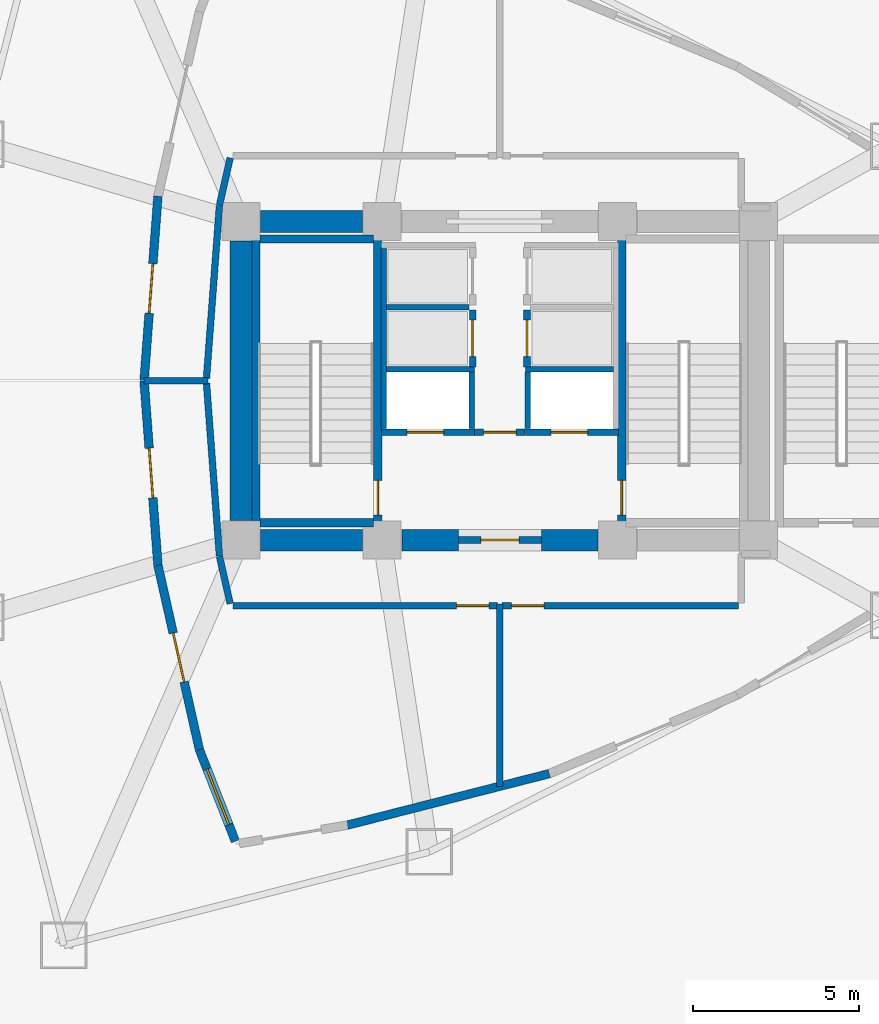
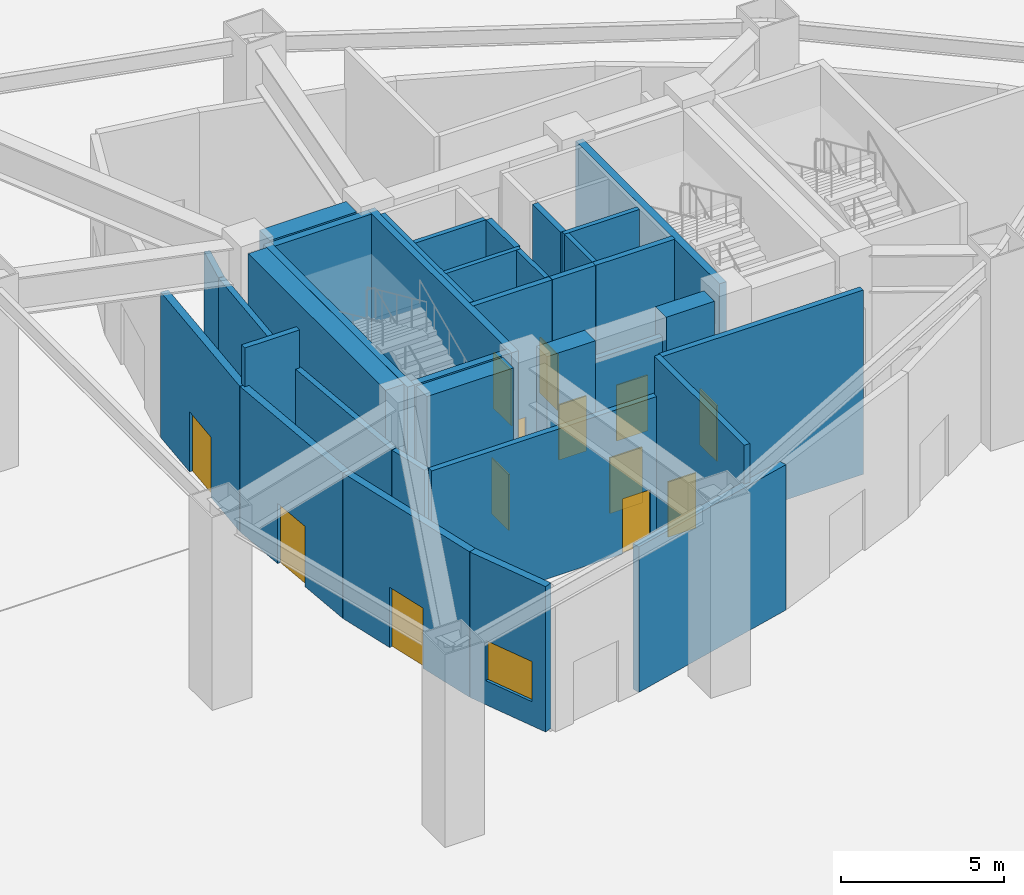
# One storey, part 2 of 7: 35 walls, 13 doors, 1 window, 14 openings.
"""IFC4 building model written with IfcOpenShell, lengths in metres."""

from ifc_helpers import new_model, si_unit, direction, frame, frame_2d, origin, place, context, subcontext, project, spatial, rectangle, extrude, material, layer, layer_set, type_object, element, fill, save


model = new_model("IFC4")

# Units and contexts
model_context = context("Model", 3, precision=1e-05, world=origin(), true_north=direction((0.0, 1.0)))
body_context = subcontext(model_context, "Body", "Model", "MODEL_VIEW")
ifc_project = project(units=[si_unit("LENGTHUNIT", "METRE"), si_unit("AREAUNIT", "SQUARE_METRE"), si_unit("VOLUMEUNIT", "CUBIC_METRE"), si_unit("PLANEANGLEUNIT", "RADIAN"), si_unit("MASSUNIT", "GRAM", prefix="KILO")], contexts=[model_context])

# Site, building, storey
site_placement = place(None, origin())
site = spatial("IfcSite", under=ifc_project, at=site_placement, CompositionType="ELEMENT")
building_placement = place(site_placement, origin())
building = spatial("IfcBuilding", under=site, at=building_placement, Name="Menara Vayukalpa", CompositionType="ELEMENT")
storey_placement = place(building_placement, origin())
storey = spatial("IfcBuildingStorey", under=building, at=storey_placement, Name="L00", CompositionType="ELEMENT", Elevation=0.0)

# Walls
ifc_material_1 = material(Name="Concrete C80/95", Category="concrete")
ifc_layer_1 = layer(ifc_material_1, 0.64990234375)
ifc_layer_set_1 = layer_set([ifc_layer_1], Name="Concrete C80/95")
wall_type_1 = type_object("IfcWallType", Name="WAL-CW650", PredefinedType="SHEAR", material=ifc_layer_set_1)
wall_1_placement = place(storey_placement, frame((18.39501953125, 17.199951171875, 0.0), z_axis=(0.0, 0.0, 1.0), x_axis=(1.0, 0.0, 0.0)))
element("IfcWall", 1, at=wall_1_placement, inside=storey, type_object=wall_type_1, Name="L00 Buttressed Core Shear Wall CWS1", PredefinedType="SHEAR", context=body_context, shape_type="SweptSolid", body=[
    extrude(rectangle(XDim=3.06005859375, YDim=0.64990234375, at=frame_2d((1.530029296875, 0.0))), origin(), (0.0, 0.0, 1.0), 6.8798828125),
])
wall_2_placement = place(storey_placement, frame((22.64501953125, 17.199951171875, 0.0), z_axis=(0.0, 0.0, 1.0), x_axis=(1.0, 0.0, 0.0)))
element("IfcWall", 2, at=wall_2_placement, inside=storey, type_object=wall_type_1, Name="L00 Buttressed Core Shear Wall CWS2", PredefinedType="SHEAR", context=body_context, shape_type="SweptSolid", body=[
    extrude(rectangle(XDim=1.705078125, YDim=0.64990234375, at=frame_2d((0.8525390625, 0.0))), origin(), (0.0, 0.0, 1.0), 6.8798828125),
])
wall_3_placement = place(storey_placement, frame((26.85009765625, 17.199951171875, 0.0), z_axis=(0.0, 0.0, 1.0), x_axis=(1.0, 0.0, 0.0)))
element("IfcWall", 3, at=wall_3_placement, inside=storey, type_object=wall_type_1, Name="L00 Buttressed Core Shear Wall CWS3", PredefinedType="SHEAR", context=body_context, shape_type="SweptSolid", body=[
    extrude(rectangle(XDim=1.704833984375, YDim=0.64990234375, at=frame_2d((0.8525390625, 0.0))), origin(), (0.0, 0.0, 1.0), 6.8798828125),
])
wall_4_placement = place(storey_placement, frame((18.39501953125, 26.800048828125, 0.0), z_axis=(0.0, 0.0, 1.0), x_axis=(1.0, 0.0, 0.0)))
element("IfcWall", 4, at=wall_4_placement, inside=storey, type_object=wall_type_1, Name="L00 Buttressed Core Shear Wall CWN1", PredefinedType="SHEAR", context=body_context, shape_type="SweptSolid", body=[
    extrude(rectangle(XDim=3.06005859375, YDim=0.64990234375, at=frame_2d((1.530029296875, 0.0))), origin(), (0.0, 0.0, 1.0), 6.8798828125),
])
wall_5_placement = place(storey_placement, frame((17.800048828125, 17.794921875, 0.0), z_axis=(0.0, 0.0, 1.0), x_axis=(0.0, 1.0, 0.0)))
element("IfcWall", 5, at=wall_5_placement, inside=storey, type_object=wall_type_1, Name="L00 Buttressed Core Shear Wall CWW1", PredefinedType="SHEAR", context=body_context, shape_type="SweptSolid", body=[
    extrude(rectangle(XDim=8.41015625, YDim=0.64990234375, at=frame_2d((4.205078125, 0.0))), origin(), (0.0, 0.0, 1.0), 6.8798828125),
])
ifc_material_2 = material(Name="Insulated Precast Concrete C40/50", Category="concrete")
ifc_layer_2 = layer(ifc_material_2, 0.260009765625)
ifc_layer_set_2 = layer_set([ifc_layer_2], Name="Insulated Precast Concrete C40/50")
wall_type_2 = type_object("IfcWallType", Name="WAL-EXT260", PredefinedType="PARTITIONING", material=ifc_layer_set_2)
wall_6_placement = place(storey_placement, frame((27.09228515625, 10.15966796875, 0.0), z_axis=(0.0, 0.0, 1.0), x_axis=(-0.968977702302, -0.247148158887, 0.0)))
element("IfcWall", 6, at=wall_6_placement, inside=storey, type_object=wall_type_2, Name="L00 Concourse Storefront Wall 03", PredefinedType="PARTITIONING", context=body_context, shape_type="SweptSolid", body=[
    extrude(rectangle(XDim=6.28564453125, YDim=0.260009765625, at=frame_2d((3.142822265625, 0.0))), origin(), (0.0, 0.0, 1.0), 5.429931640625),
])

# Wall, opening, window
wall_7_placement = place(storey_placement, frame((17.630615234375, 8.12109375, 0.0), z_axis=(0.0, 0.0, 1.0), x_axis=(-0.36552999723, 0.930799560123, 0.0)))
wall_7 = element("IfcWall", 7, at=wall_7_placement, inside=storey, type_object=wall_type_2, Name="L00 Concourse Storefront Wall 05", PredefinedType="PARTITIONING", context=body_context, shape_type="SweptSolid", body=[
    extrude(rectangle(XDim=2.962890625, YDim=0.260009765625, at=frame_2d((1.4814453125, 0.0))), origin(), (0.0, 0.0, 1.0), 5.429931640625),
])
opening_1_placement = place(wall_7_placement, frame((0.53759765625, 0.0, 0.89990234375)))
opening_1 = element("IfcOpeningElement", 8, at=opening_1_placement, cuts=wall_7, Name="Opening WN1", PredefinedType="OPENING", context=body_context, shape_type="SweptSolid", body=[
    extrude(rectangle(XDim=1.800048828125, YDim=1.5, at=frame_2d((0.89990234375, 0.75))), frame((0.0, 0.139892578125, 0.0), z_axis=(0.0, -1.0, 0.0), x_axis=(1.0, 0.0, 0.0)), (0.0, 0.0, 1.0), 0.280029296875),
])
ifc_material_3 = material(Name="Thermally Broken Aluminium and Low-E Glass", Category="aluminium")
window_type = type_object("IfcWindowType", Name="WIN-W180", PartitioningType="SINGLE_PANEL", PredefinedType="WINDOW", material=ifc_material_3)
window_placement = place(opening_1_placement, origin())
window = element("IfcWindow", 9, at=window_placement, inside=storey, type_object=window_type, Name="L00 Concourse Vision Window WN-01", OverallHeight=1.5, OverallWidth=1.800048828125, PartitioningType="SINGLE_PANEL", PredefinedType="WINDOW", context=body_context, shape_type="SweptSolid", body=[
    extrude(rectangle(XDim=1.800048828125, YDim=1.5, at=frame_2d((0.89990234375, 0.75))), frame((0.0, 0.030029296875, 0.0), z_axis=(0.0, -1.0, 0.0), x_axis=(1.0, 0.0, 0.0)), (0.0, 0.0, 1.0), 0.06005859375),
])
fill(opening_1, window)

# Wall, opening, door
wall_8_placement = place(storey_placement, frame((16.547607421875, 10.87890625, 0.0), z_axis=(0.0, 0.0, 1.0), x_axis=(-0.219487732338, 0.975615259902, 0.0)))
wall_8 = element("IfcWall", 10, at=wall_8_placement, inside=storey, type_object=wall_type_2, Name="L00 Concourse Storefront Wall 06", PredefinedType="PARTITIONING", context=body_context, shape_type="SweptSolid", body=[
    extrude(rectangle(XDim=5.699462890625, YDim=0.260009765625, at=frame_2d((2.849609375, 0.0))), origin(), (0.0, 0.0, 1.0), 5.429931640625),
])
opening_2_placement = place(wall_8_placement, frame((2.099853515625, 0.0, 0.0)))
opening_2 = element("IfcOpeningElement", 11, at=opening_2_placement, cuts=wall_8, Name="Opening ED2", PredefinedType="OPENING", context=body_context, shape_type="SweptSolid", body=[
    extrude(rectangle(XDim=1.5, YDim=2.25, at=frame_2d((0.75, 1.125))), frame((0.0, 0.139892578125, 0.0), z_axis=(0.0, -1.0, 0.0), x_axis=(1.0, 0.0, 0.0)), (0.0, 0.0, 1.0), 0.280029296875),
])
ifc_material_4 = material(Name="Stainless Steel 316 Glazed Exit Door", Category="steel")
door_type_1 = type_object("IfcDoorType", Name="DR-EX150", OperationType="NOTDEFINED", PredefinedType="DOOR", material=ifc_material_4)
door_1_placement = place(opening_2_placement, origin())
door_1 = element("IfcDoor", 12, at=door_1_placement, inside=storey, type_object=door_type_1, Name="Ground Final Exit Door ED-04", OperationType="DOUBLE_DOOR_SINGLE_SWING", OverallHeight=2.25, OverallWidth=1.5, PredefinedType="DOOR", context=body_context, shape_type="SweptSolid", body=[
    extrude(rectangle(XDim=1.5, YDim=2.25, at=frame_2d((0.75, 1.125))), frame((0.0, 0.02490234375, 0.0), z_axis=(0.0, -1.0, 0.0), x_axis=(1.0, 0.0, 0.0)), (0.0, 0.0, 1.0), 0.050048828125),
])
fill(opening_2, door_1)

wall_9_placement = place(storey_placement, frame((15.296630859375, 16.439453125, 0.0), z_axis=(0.0, 0.0, 1.0), x_axis=(-0.074824778503, 0.997196697007, 0.0)))
wall_9 = element("IfcWall", 13, at=wall_9_placement, inside=storey, type_object=wall_type_2, Name="L00 Concourse Storefront Wall 07", PredefinedType="PARTITIONING", context=body_context, shape_type="SweptSolid", body=[
    extrude(rectangle(XDim=5.576171875, YDim=0.260009765625, at=frame_2d((2.7880859375, 0.0))), origin(), (0.0, 0.0, 1.0), 5.429931640625),
])
opening_3_placement = place(wall_9_placement, frame((2.0380859375, 0.0, 0.0)))
opening_3 = element("IfcOpeningElement", 14, at=opening_3_placement, cuts=wall_9, Name="Opening ED2", PredefinedType="OPENING", context=body_context, shape_type="SweptSolid", body=[
    extrude(rectangle(XDim=1.5, YDim=2.25, at=frame_2d((0.75, 1.125))), frame((0.0, 0.139892578125, 0.0), z_axis=(0.0, -1.0, 0.0), x_axis=(1.0, 0.0, 0.0)), (0.0, 0.0, 1.0), 0.280029296875),
])
door_2_placement = place(opening_3_placement, origin())
door_2 = element("IfcDoor", 15, at=door_2_placement, inside=storey, type_object=door_type_1, Name="Ground Final Exit Door ED-05", OperationType="DOUBLE_DOOR_SINGLE_SWING", OverallHeight=2.25, OverallWidth=1.5, PredefinedType="DOOR", context=body_context, shape_type="SweptSolid", body=[
    extrude(rectangle(XDim=1.5, YDim=2.25, at=frame_2d((0.75, 1.125))), frame((0.0, 0.02490234375, 0.0), z_axis=(0.0, -1.0, 0.0), x_axis=(1.0, 0.0, 0.0)), (0.0, 0.0, 1.0), 0.050048828125),
])
fill(opening_3, door_2)

wall_10_placement = place(storey_placement, frame((14.87939453125, 22.0, 0.0), z_axis=(0.0, 0.0, 1.0), x_axis=(0.074824778503, 0.997196697007, 0.0)))
wall_10 = element("IfcWall", 16, at=wall_10_placement, inside=storey, type_object=wall_type_2, Name="L00 Concourse Storefront Wall 08", PredefinedType="PARTITIONING", context=body_context, shape_type="SweptSolid", body=[
    extrude(rectangle(XDim=5.576171875, YDim=0.260009765625, at=frame_2d((2.7880859375, 0.0))), origin(), (0.0, 0.0, 1.0), 5.429931640625),
])
opening_4_placement = place(wall_10_placement, frame((2.0380859375, 0.0, 0.0)))
opening_4 = element("IfcOpeningElement", 17, at=opening_4_placement, cuts=wall_10, Name="Opening ED2", PredefinedType="OPENING", context=body_context, shape_type="SweptSolid", body=[
    extrude(rectangle(XDim=1.5, YDim=2.25, at=frame_2d((0.75, 1.125))), frame((0.0, 0.139892578125, 0.0), z_axis=(0.0, -1.0, 0.0), x_axis=(1.0, 0.0, 0.0)), (0.0, 0.0, 1.0), 0.280029296875),
])
door_3_placement = place(opening_4_placement, origin())
door_3 = element("IfcDoor", 18, at=door_3_placement, inside=storey, type_object=door_type_1, Name="Ground Final Exit Door ED-06", OperationType="DOUBLE_DOOR_SINGLE_SWING", OverallHeight=2.25, OverallWidth=1.5, PredefinedType="DOOR", context=body_context, shape_type="SweptSolid", body=[
    extrude(rectangle(XDim=1.5, YDim=2.25, at=frame_2d((0.75, 1.125))), frame((0.0, 0.02490234375, 0.0), z_axis=(0.0, -1.0, 0.0), x_axis=(1.0, 0.0, 0.0)), (0.0, 0.0, 1.0), 0.050048828125),
])
fill(opening_4, door_3)

# Walls
ifc_material_5 = material(Name="Lightweight Concrete Blockwork C16/20", Category="masonry")
ifc_layer_3 = layer(ifc_material_5, 0.159912109375)
ifc_layer_set_3 = layer_set([ifc_layer_3], Name="Lightweight Concrete Blockwork C16/20")
wall_type_3 = type_object("IfcWallType", Name="WAL-FR150", PredefinedType="PARTITIONING", material=ifc_layer_set_3)
wall_11_placement = place(storey_placement, frame((22.10498046875, 20.56005859375, 0.0), z_axis=(0.0, 0.0, 1.0), x_axis=(0.0, 1.0, 0.0)))
element("IfcWall", 19, at=wall_11_placement, inside=storey, type_object=wall_type_3, Name="L00 Interior Partition IW-L00-SHW-WW", PredefinedType="PARTITIONING", context=body_context, shape_type="SweptSolid", body=[
    extrude(rectangle(XDim=5.449951171875, YDim=0.159912109375, at=frame_2d((2.72509765625, 0.0))), origin(), (0.0, 0.0, 1.0), 6.8798828125),
])
wall_12_placement = place(storey_placement, frame((24.7548828125, 20.56005859375, 0.0), z_axis=(0.0, 0.0, 1.0), x_axis=(0.0, 1.0, 0.0)))
element("IfcWall", 20, at=wall_12_placement, inside=storey, type_object=wall_type_3, Name="L00 Interior Partition IW-L00-SHW-W1E", PredefinedType="PARTITIONING", context=body_context, shape_type="SweptSolid", body=[
    extrude(rectangle(XDim=1.7099609375, YDim=0.159912109375, at=frame_2d((0.85498046875, 0.0))), origin(), (0.0, 0.0, 1.0), 6.8798828125),
])
wall_13_placement = place(storey_placement, frame((22.179931640625, 22.344970703125, 0.0), z_axis=(0.0, 0.0, 1.0), x_axis=(1.0, 0.0, 0.0)))
element("IfcWall", 21, at=wall_13_placement, inside=storey, type_object=wall_type_3, Name="L00 Interior Partition IW-L00-SHM-W12", PredefinedType="PARTITIONING", context=body_context, shape_type="SweptSolid", body=[
    extrude(rectangle(XDim=2.650146484375, YDim=0.159912109375, at=frame_2d((1.3251953125, 0.0))), origin(), (0.0, 0.0, 1.0), 6.8798828125),
])
wall_14_placement = place(storey_placement, frame((22.179931640625, 24.215087890625, 0.0), z_axis=(0.0, 0.0, 1.0), x_axis=(1.0, 0.0, 0.0)))
element("IfcWall", 22, at=wall_14_placement, inside=storey, type_object=wall_type_3, Name="L00 Interior Partition IW-L00-SHM-W23", PredefinedType="PARTITIONING", context=body_context, shape_type="SweptSolid", body=[
    extrude(rectangle(XDim=2.489990234375, YDim=0.159912109375, at=frame_2d((1.2451171875, 0.0))), origin(), (0.0, 0.0, 1.0), 6.8798828125),
])
wall_15_placement = place(storey_placement, frame((26.445068359375, 20.56005859375, 0.0), z_axis=(0.0, 0.0, 1.0), x_axis=(0.0, 1.0, 0.0)))
element("IfcWall", 23, at=wall_15_placement, inside=storey, type_object=wall_type_3, Name="L00 Interior Partition IW-L00-SHW-E1W", PredefinedType="PARTITIONING", context=body_context, shape_type="SweptSolid", body=[
    extrude(rectangle(XDim=1.7099609375, YDim=0.159912109375, at=frame_2d((0.85498046875, 0.0))), origin(), (0.0, 0.0, 1.0), 6.8798828125),
])
wall_16_placement = place(storey_placement, frame((26.3701171875, 22.344970703125, 0.0), z_axis=(0.0, 0.0, 1.0), x_axis=(1.0, 0.0, 0.0)))
element("IfcWall", 24, at=wall_16_placement, inside=storey, type_object=wall_type_3, Name="L00 Interior Partition IW-L00-SHM-E13", PredefinedType="PARTITIONING", context=body_context, shape_type="SweptSolid", body=[
    extrude(rectangle(XDim=2.64990234375, YDim=0.159912109375, at=frame_2d((1.324951171875, 0.0))), origin(), (0.0, 0.0, 1.0), 6.8798828125),
])

# Wall, opening, door
ifc_material_6 = material(Name="Lightweight Concrete Blockwork C16/20", Category="masonry")
ifc_layer_4 = layer(ifc_material_6, 0.199951171875)
ifc_layer_set_4 = layer_set([ifc_layer_4], Name="Lightweight Concrete Blockwork C16/20")
wall_type_4 = type_object("IfcWallType", Name="WAL-FR200", PredefinedType="PARTITIONING", material=ifc_layer_set_4)
wall_17_placement = place(storey_placement, frame((24.35009765625, 17.199951171875, 0.0), z_axis=(0.0, 0.0, 1.0), x_axis=(1.0, 0.0, 0.0)))
wall_17 = element("IfcWall", 25, at=wall_17_placement, inside=storey, type_object=wall_type_4, Name="L00 Interior Partition IW-L00-FFLS", PredefinedType="PARTITIONING", context=body_context, shape_type="SweptSolid", body=[
    extrude(rectangle(XDim=2.5, YDim=0.199951171875, at=frame_2d((1.25, 0.0))), origin(), (0.0, 0.0, 1.0), 6.010009765625),
])
opening_5_placement = place(wall_17_placement, frame((0.679931640625, 0.0, 0.0)))
opening_5 = element("IfcOpeningElement", 26, at=opening_5_placement, cuts=wall_17, Name="Opening ID2", PredefinedType="OPENING", context=body_context, shape_type="SweptSolid", body=[
    extrude(rectangle(XDim=1.14990234375, YDim=2.080078125, at=frame_2d((0.574951171875, 1.0400390625))), frame((0.0, 0.10986328125, 0.0), z_axis=(0.0, -1.0, 0.0), x_axis=(1.0, 0.0, 0.0)), (0.0, 0.0, 1.0), 0.219970703125),
])
ifc_material_7 = material(Name="Fire-Rated Powder-Coated Steel Door", Category="steel")
door_type_2 = type_object("IfcDoorType", Name="DR-FD60W", OperationType="NOTDEFINED", PredefinedType="DOOR", material=ifc_material_7)
door_4_placement = place(opening_5_placement, origin())
door_4 = element("IfcDoor", 27, at=door_4_placement, inside=storey, type_object=door_type_2, Name="L00 Interior Door DR-L00-FFLS", OperationType="SINGLE_SWING_RIGHT", OverallHeight=2.080078125, OverallWidth=1.14990234375, PredefinedType="DOOR", context=body_context, shape_type="SweptSolid", body=[
    extrude(rectangle(XDim=1.14990234375, YDim=2.080078125, at=frame_2d((0.574951171875, 1.0400390625))), frame((0.0, 0.02490234375, 0.0), z_axis=(0.0, -1.0, 0.0), x_axis=(1.0, 0.0, 0.0)), (0.0, 0.0, 1.0), 0.050048828125),
])
fill(opening_5, door_4)

wall_18_placement = place(storey_placement, frame((24.840087890625, 20.449951171875, 0.0), z_axis=(0.0, 0.0, 1.0), x_axis=(1.0, 0.0, 0.0)))
wall_18 = element("IfcWall", 28, at=wall_18_placement, inside=storey, type_object=wall_type_4, Name="L00 Interior Partition IW-L00-FFLN", PredefinedType="PARTITIONING", context=body_context, shape_type="SweptSolid", body=[
    extrude(rectangle(XDim=1.52001953125, YDim=0.199951171875, at=frame_2d((0.760009765625, 0.0))), origin(), (0.0, 0.0, 1.0), 6.8798828125),
])
opening_6_placement = place(wall_18_placement, frame((0.27001953125, 0.0, 0.0)))
opening_6 = element("IfcOpeningElement", 29, at=opening_6_placement, cuts=wall_18, Name="Opening ID3", PredefinedType="OPENING", context=body_context, shape_type="SweptSolid", body=[
    extrude(rectangle(XDim=0.97998046875, YDim=2.06005859375, at=frame_2d((0.489990234375, 1.030029296875))), frame((0.0, 0.10986328125, 0.0), z_axis=(0.0, -1.0, 0.0), x_axis=(1.0, 0.0, 0.0)), (0.0, 0.0, 1.0), 0.219970703125),
])
ifc_material_8 = material(Name="Fire-Rated Powder-Coated Steel Door", Category="steel")
door_type_3 = type_object("IfcDoorType", Name="DR-FD60", OperationType="NOTDEFINED", PredefinedType="DOOR", material=ifc_material_8)
door_5_placement = place(opening_6_placement, origin())
door_5 = element("IfcDoor", 30, at=door_5_placement, inside=storey, type_object=door_type_3, Name="L00 Interior Door DR-L00-FFLN", OperationType="SINGLE_SWING_LEFT", OverallHeight=2.06005859375, OverallWidth=0.97998046875, PredefinedType="DOOR", context=body_context, shape_type="SweptSolid", body=[
    extrude(rectangle(XDim=0.97998046875, YDim=2.06005859375, at=frame_2d((0.489990234375, 1.030029296875))), frame((0.0, 0.02490234375, 0.0), z_axis=(0.0, -1.0, 0.0), x_axis=(1.0, 0.0, 0.0)), (0.0, 0.0, 1.0), 0.050048828125),
])
fill(opening_6, door_5)

wall_19_placement = place(storey_placement, frame((22.030029296875, 20.449951171875, 0.0), z_axis=(0.0, 0.0, 1.0), x_axis=(1.0, 0.0, 0.0)))
wall_19 = element("IfcWall", 31, at=wall_19_placement, inside=storey, type_object=wall_type_4, Name="L00 Interior Partition IW-L00-SH-W1", PredefinedType="PARTITIONING", context=body_context, shape_type="SweptSolid", body=[
    extrude(rectangle(XDim=2.800048828125, YDim=0.199951171875, at=frame_2d((1.39990234375, 0.0))), origin(), (0.0, 0.0, 1.0), 6.8798828125),
])
opening_7_placement = place(wall_19_placement, frame((0.780029296875, 0.0, 0.0)))
opening_7 = element("IfcOpeningElement", 32, at=opening_7_placement, cuts=wall_19, Name="Opening LD1", PredefinedType="OPENING", context=body_context, shape_type="SweptSolid", body=[
    extrude(rectangle(XDim=1.10009765625, YDim=2.080078125, at=frame_2d((0.550048828125, 1.0400390625))), frame((0.0, 0.10986328125, 0.0), z_axis=(0.0, -1.0, 0.0), x_axis=(1.0, 0.0, 0.0)), (0.0, 0.0, 1.0), 0.219970703125),
])
ifc_material_9 = material(Name="Brushed Stainless Steel 316 Lift Door", Category="steel")
door_type_4 = type_object("IfcDoorType", Name="DR-LD110", OperationType="NOTDEFINED", PredefinedType="DOOR", material=ifc_material_9)
door_6_placement = place(opening_7_placement, origin())
door_6 = element("IfcDoor", 33, at=door_6_placement, inside=storey, type_object=door_type_4, Name="L00 Interior Door DR-L00-LD-W1", OperationType="DOUBLE_DOOR_SLIDING", OverallHeight=2.080078125, OverallWidth=1.10009765625, PredefinedType="DOOR", context=body_context, shape_type="SweptSolid", body=[
    extrude(rectangle(XDim=1.10009765625, YDim=2.080078125, at=frame_2d((0.550048828125, 1.0400390625))), frame((0.0, 0.02490234375, 0.0), z_axis=(0.0, -1.0, 0.0), x_axis=(1.0, 0.0, 0.0)), (0.0, 0.0, 1.0), 0.050048828125),
])
fill(opening_7, door_6)

wall_20_placement = place(storey_placement, frame((26.3701171875, 20.449951171875, 0.0), z_axis=(0.0, 0.0, 1.0), x_axis=(1.0, 0.0, 0.0)))
wall_20 = element("IfcWall", 34, at=wall_20_placement, inside=storey, type_object=wall_type_4, Name="L00 Interior Partition IW-L00-SH-E1", PredefinedType="PARTITIONING", context=body_context, shape_type="SweptSolid", body=[
    extrude(rectangle(XDim=2.7998046875, YDim=0.199951171875, at=frame_2d((1.39990234375, 0.0))), origin(), (0.0, 0.0, 1.0), 6.8798828125),
])
opening_8_placement = place(wall_20_placement, frame((0.780029296875, 0.0, 0.0)))
opening_8 = element("IfcOpeningElement", 35, at=opening_8_placement, cuts=wall_20, Name="Opening LD1", PredefinedType="OPENING", context=body_context, shape_type="SweptSolid", body=[
    extrude(rectangle(XDim=1.10009765625, YDim=2.080078125, at=frame_2d((0.550048828125, 1.0400390625))), frame((0.0, 0.10986328125, 0.0), z_axis=(0.0, -1.0, 0.0), x_axis=(1.0, 0.0, 0.0)), (0.0, 0.0, 1.0), 0.219970703125),
])
door_7_placement = place(opening_8_placement, origin())
door_7 = element("IfcDoor", 36, at=door_7_placement, inside=storey, type_object=door_type_4, Name="L00 Interior Door DR-L00-LD-E1", OperationType="DOUBLE_DOOR_SLIDING", OverallHeight=2.080078125, OverallWidth=1.10009765625, PredefinedType="DOOR", context=body_context, shape_type="SweptSolid", body=[
    extrude(rectangle(XDim=1.10009765625, YDim=2.080078125, at=frame_2d((0.550048828125, 1.0400390625))), frame((0.0, 0.02490234375, 0.0), z_axis=(0.0, -1.0, 0.0), x_axis=(1.0, 0.0, 0.0)), (0.0, 0.0, 1.0), 0.050048828125),
])
fill(opening_8, door_7)

wall_21_placement = place(storey_placement, frame((24.780029296875, 22.419921875, 0.0), z_axis=(0.0, 0.0, 1.0), x_axis=(0.0, 1.0, 0.0)))
wall_21 = element("IfcWall", 37, at=wall_21_placement, inside=storey, type_object=wall_type_4, Name="L00 Interior Partition IW-L00-SH-W2", PredefinedType="PARTITIONING", context=body_context, shape_type="SweptSolid", body=[
    extrude(rectangle(XDim=1.719970703125, YDim=0.199951171875, at=frame_2d((0.85986328125, 0.0))), origin(), (0.0, 0.0, 1.0), 6.8798828125),
])
opening_9_placement = place(wall_21_placement, frame((0.31005859375, 0.0, 0.0)))
opening_9 = element("IfcOpeningElement", 38, at=opening_9_placement, cuts=wall_21, Name="Opening LD1", PredefinedType="OPENING", context=body_context, shape_type="SweptSolid", body=[
    extrude(rectangle(XDim=1.10009765625, YDim=2.080078125, at=frame_2d((0.550048828125, 1.0400390625))), frame((0.0, 0.10986328125, 0.0), z_axis=(0.0, -1.0, 0.0), x_axis=(1.0, 0.0, 0.0)), (0.0, 0.0, 1.0), 0.219970703125),
])
door_8_placement = place(opening_9_placement, origin())
door_8 = element("IfcDoor", 39, at=door_8_placement, inside=storey, type_object=door_type_4, Name="L00 Interior Door DR-L00-LD-W2", OperationType="DOUBLE_DOOR_SLIDING", OverallHeight=2.080078125, OverallWidth=1.10009765625, PredefinedType="DOOR", context=body_context, shape_type="SweptSolid", body=[
    extrude(rectangle(XDim=1.10009765625, YDim=2.080078125, at=frame_2d((0.550048828125, 1.0400390625))), frame((0.0, 0.02490234375, 0.0), z_axis=(0.0, -1.0, 0.0), x_axis=(1.0, 0.0, 0.0)), (0.0, 0.0, 1.0), 0.050048828125),
])
fill(opening_9, door_8)

wall_22_placement = place(storey_placement, frame((26.419921875, 22.419921875, 0.0), z_axis=(0.0, 0.0, 1.0), x_axis=(0.0, 1.0, 0.0)))
wall_22 = element("IfcWall", 40, at=wall_22_placement, inside=storey, type_object=wall_type_4, Name="L00 Interior Partition IW-L00-SH-E3", PredefinedType="PARTITIONING", context=body_context, shape_type="SweptSolid", body=[
    extrude(rectangle(XDim=1.719970703125, YDim=0.199951171875, at=frame_2d((0.85986328125, 0.0))), origin(), (0.0, 0.0, 1.0), 6.8798828125),
])
opening_10_placement = place(wall_22_placement, frame((0.31005859375, 0.0, 0.0)))
opening_10 = element("IfcOpeningElement", 41, at=opening_10_placement, cuts=wall_22, Name="Opening LD1", PredefinedType="OPENING", context=body_context, shape_type="SweptSolid", body=[
    extrude(rectangle(XDim=1.10009765625, YDim=2.080078125, at=frame_2d((0.550048828125, 1.0400390625))), frame((0.0, 0.10986328125, 0.0), z_axis=(0.0, -1.0, 0.0), x_axis=(1.0, 0.0, 0.0)), (0.0, 0.0, 1.0), 0.219970703125),
])
door_9_placement = place(opening_10_placement, origin())
door_9 = element("IfcDoor", 42, at=door_9_placement, inside=storey, type_object=door_type_4, Name="L00 Interior Door DR-L00-LD-E3", OperationType="DOUBLE_DOOR_SLIDING", OverallHeight=2.080078125, OverallWidth=1.10009765625, PredefinedType="DOOR", context=body_context, shape_type="SweptSolid", body=[
    extrude(rectangle(XDim=1.10009765625, YDim=2.080078125, at=frame_2d((0.550048828125, 1.0400390625))), frame((0.0, 0.02490234375, 0.0), z_axis=(0.0, -1.0, 0.0), x_axis=(1.0, 0.0, 0.0)), (0.0, 0.0, 1.0), 0.050048828125),
])
fill(opening_10, door_9)

# Walls
wall_23_placement = place(storey_placement, frame((16.760009765625, 21.929931640625, 0.0), z_axis=(0.0, 0.0, 1.0), x_axis=(0.074794596755, -0.997198961239, 0.0)))
element("IfcWall", 43, at=wall_23_placement, inside=storey, type_object=wall_type_4, Name="L00 Interior Partition IW-L00-CRM01-1", PredefinedType="PARTITIONING", context=body_context, shape_type="SweptSolid", body=[
    extrude(rectangle(XDim=5.22265625, YDim=0.199951171875, at=frame_2d((2.611328125, 0.0))), origin(), (0.0, 0.0, 1.0), 5.4599609375),
])
wall_24_placement = place(storey_placement, frame((17.15234375, 16.71044921875, 0.0), z_axis=(0.0, 0.0, 1.0), x_axis=(0.219508226064, -0.975610649127, 0.0)))
element("IfcWall", 44, at=wall_24_placement, inside=storey, type_object=wall_type_4, Name="L00 Interior Partition IW-L00-CRM01-2", PredefinedType="PARTITIONING", context=body_context, shape_type="SweptSolid", body=[
    extrude(rectangle(XDim=1.463623046875, YDim=0.199951171875, at=frame_2d((0.73193359375, 0.0))), origin(), (0.0, 0.0, 1.0), 5.4599609375),
])

# Wall, opening, door
wall_25_placement = place(storey_placement, frame((17.5517578125, 15.219970703125, 0.0), z_axis=(0.0, 0.0, 1.0), x_axis=(1.0, 0.0, 0.0)))
wall_25 = element("IfcWall", 45, at=wall_25_placement, inside=storey, type_object=wall_type_4, Name="L00 Interior Partition IW-L00-CRM01-3", PredefinedType="PARTITIONING", context=body_context, shape_type="SweptSolid", body=[
    extrude(rectangle(XDim=7.978271484375, YDim=0.199951171875, at=frame_2d((3.9892578125, 0.0))), origin(), (0.0, 0.0, 1.0), 5.4599609375),
])
opening_11_placement = place(wall_25_placement, frame((6.748291015625, 0.0, 0.0)))
opening_11 = element("IfcOpeningElement", 46, at=opening_11_placement, cuts=wall_25, Name="Opening ID3", PredefinedType="OPENING", context=body_context, shape_type="SweptSolid", body=[
    extrude(rectangle(XDim=0.97998046875, YDim=2.06005859375, at=frame_2d((0.489990234375, 1.030029296875))), frame((0.0, 0.10986328125, 0.0), z_axis=(0.0, -1.0, 0.0), x_axis=(1.0, 0.0, 0.0)), (0.0, 0.0, 1.0), 0.219970703125),
])
door_10_placement = place(opening_11_placement, origin())
door_10 = element("IfcDoor", 47, at=door_10_placement, inside=storey, type_object=door_type_3, Name="L00 Interior Door DR-L00-RM01", OperationType="SINGLE_SWING_RIGHT", OverallHeight=2.06005859375, OverallWidth=0.97998046875, PredefinedType="DOOR", context=body_context, shape_type="SweptSolid", body=[
    extrude(rectangle(XDim=0.97998046875, YDim=2.06005859375, at=frame_2d((0.489990234375, 1.030029296875))), frame((0.0, 0.02490234375, 0.0), z_axis=(0.0, -1.0, 0.0), x_axis=(1.0, 0.0, 0.0)), (0.0, 0.0, 1.0), 0.050048828125),
])
fill(opening_11, door_10)

wall_26_placement = place(storey_placement, frame((25.669921875, 15.219970703125, 0.0), z_axis=(0.0, 0.0, 1.0), x_axis=(1.0, 0.0, 0.0)))
wall_26 = element("IfcWall", 48, at=wall_26_placement, inside=storey, type_object=wall_type_4, Name="L00 Interior Partition IW-L00-CRM02-1", PredefinedType="PARTITIONING", context=body_context, shape_type="SweptSolid", body=[
    extrude(rectangle(XDim=7.130126953125, YDim=0.199951171875, at=frame_2d((3.56494140625, 0.0))), origin(), (0.0, 0.0, 1.0), 6.8798828125),
])
opening_12_placement = place(wall_26_placement, frame((0.280029296875, 0.0, 0.0)))
opening_12 = element("IfcOpeningElement", 49, at=opening_12_placement, cuts=wall_26, Name="Opening ID3", PredefinedType="OPENING", context=body_context, shape_type="SweptSolid", body=[
    extrude(rectangle(XDim=0.97998046875, YDim=2.06005859375, at=frame_2d((0.489990234375, 1.030029296875))), frame((0.0, 0.10986328125, 0.0), z_axis=(0.0, -1.0, 0.0), x_axis=(1.0, 0.0, 0.0)), (0.0, 0.0, 1.0), 0.219970703125),
])
door_11_placement = place(opening_12_placement, origin())
door_11 = element("IfcDoor", 50, at=door_11_placement, inside=storey, type_object=door_type_3, Name="L00 Interior Door DR-L00-RM02", OperationType="SINGLE_SWING_LEFT", OverallHeight=2.06005859375, OverallWidth=0.97998046875, PredefinedType="DOOR", context=body_context, shape_type="SweptSolid", body=[
    extrude(rectangle(XDim=0.97998046875, YDim=2.06005859375, at=frame_2d((0.489990234375, 1.030029296875))), frame((0.0, 0.02490234375, 0.0), z_axis=(0.0, -1.0, 0.0), x_axis=(1.0, 0.0, 0.0)), (0.0, 0.0, 1.0), 0.050048828125),
])
fill(opening_12, door_11)

# Walls
wall_27_placement = place(storey_placement, frame((17.4736328125, 28.717529296875, 0.0), z_axis=(0.0, 0.0, 1.0), x_axis=(-0.219508226064, -0.975610649127, 0.0)))
element("IfcWall", 51, at=wall_27_placement, inside=storey, type_object=wall_type_4, Name="L00 Interior Partition IW-L00-CRM04-2", PredefinedType="PARTITIONING", context=body_context, shape_type="SweptSolid", body=[
    extrude(rectangle(XDim=1.463623046875, YDim=0.199951171875, at=frame_2d((0.73193359375, 0.0))), origin(), (0.0, 0.0, 1.0), 5.4599609375),
])
wall_28_placement = place(storey_placement, frame((17.150634765625, 27.278076171875, 0.0), z_axis=(0.0, 0.0, 1.0), x_axis=(-0.074794596755, -0.997198961239, 0.0)))
element("IfcWall", 52, at=wall_28_placement, inside=storey, type_object=wall_type_4, Name="L00 Interior Partition IW-L00-CRM04-3", PredefinedType="PARTITIONING", context=body_context, shape_type="SweptSolid", body=[
    extrude(rectangle(XDim=5.22265625, YDim=0.199951171875, at=frame_2d((2.611328125, 0.0))), origin(), (0.0, 0.0, 1.0), 5.4599609375),
])
wall_29_placement = place(storey_placement, frame((25.60009765625, 9.768798828125, 0.0), z_axis=(0.0, 0.0, 1.0), x_axis=(0.0, 1.0, 0.0)))
element("IfcWall", 53, at=wall_29_placement, inside=storey, type_object=wall_type_4, Name="L00 Interior Partition IW-L00-RDIV01", PredefinedType="PARTITIONING", context=body_context, shape_type="SweptSolid", body=[
    extrude(rectangle(XDim=5.501220703125, YDim=0.199951171875, at=frame_2d((2.75048828125, 0.0))), origin(), (0.0, 0.0, 1.0), 6.8798828125),
])
wall_30_placement = place(storey_placement, frame((14.869384765625, 22.0, 0.0), z_axis=(0.0, 0.0, 1.0), x_axis=(1.0, 0.0, 0.0)))
element("IfcWall", 54, at=wall_30_placement, inside=storey, type_object=wall_type_4, Name="L00 Interior Partition IW-L00-RDIV03", PredefinedType="PARTITIONING", context=body_context, shape_type="SweptSolid", body=[
    extrude(rectangle(XDim=1.935546875, YDim=0.199951171875, at=frame_2d((0.9677734375, 0.0))), origin(), (0.0, 0.0, 1.0), 6.8798828125),
])
ifc_material_10 = material(Name="Concrete C50/60", Category="concrete")
ifc_layer_5 = layer(ifc_material_10, 0.25)
ifc_layer_set_5 = layer_set([ifc_layer_5], Name="Concrete C50/60")
wall_type_5 = type_object("IfcWallType", Name="WAL-SW250", PredefinedType="SHEAR", material=ifc_layer_set_5)
wall_31_placement = place(storey_placement, frame((18.25390625, 17.60009765625, 0.0), z_axis=(0.0, 0.0, 1.0), x_axis=(0.0, 1.0, 0.0)))
element("IfcWall", 55, at=wall_31_placement, inside=storey, type_object=wall_type_5, Name="L00 ST1 Structural Stair Shaft Wall W", PredefinedType="SHEAR", context=body_context, shape_type="SweptSolid", body=[
    extrude(rectangle(XDim=8.7998046875, YDim=0.25, at=frame_2d((4.39990234375, 0.0))), origin(), (0.0, 0.0, 1.0), 6.8798828125),
])

# Wall, opening, door
wall_32_placement = place(storey_placement, frame((21.925048828125, 17.60009765625, 0.0), z_axis=(0.0, 0.0, 1.0), x_axis=(0.0, 1.0, 0.0)))
wall_32 = element("IfcWall", 56, at=wall_32_placement, inside=storey, type_object=wall_type_5, Name="L00 ST1 Structural Stair Shaft Wall E", PredefinedType="SHEAR", context=body_context, shape_type="SweptSolid", body=[
    extrude(rectangle(XDim=8.7998046875, YDim=0.25, at=frame_2d((4.39990234375, 0.0))), origin(), (0.0, 0.0, 1.0), 6.8798828125),
])
opening_13_placement = place(wall_32_placement, frame((0.35009765625, 0.0, 0.0)))
opening_13 = element("IfcOpeningElement", 57, at=opening_13_placement, cuts=wall_32, Name="Opening ID1", PredefinedType="OPENING", context=body_context, shape_type="SweptSolid", body=[
    extrude(rectangle(XDim=1.050048828125, YDim=2.080078125, at=frame_2d((0.52490234375, 1.0400390625))), frame((0.0, 0.135009765625, 0.0), z_axis=(0.0, -1.0, 0.0), x_axis=(1.0, 0.0, 0.0)), (0.0, 0.0, 1.0), 0.27001953125),
])
ifc_material_11 = material(Name="Fire-Rated Powder-Coated Steel Door", Category="steel")
door_type_5 = type_object("IfcDoorType", Name="DR-FD120", OperationType="NOTDEFINED", PredefinedType="DOOR", material=ifc_material_11)
door_12_placement = place(opening_13_placement, origin())
door_12 = element("IfcDoor", 58, at=door_12_placement, inside=storey, type_object=door_type_5, Name="L00 Stair Exit Door DR-L00-ST1", OperationType="SINGLE_SWING_LEFT", OverallHeight=2.080078125, OverallWidth=1.050048828125, PredefinedType="DOOR", context=body_context, shape_type="SweptSolid", body=[
    extrude(rectangle(XDim=1.050048828125, YDim=2.080078125, at=frame_2d((0.52490234375, 1.0400390625))), frame((0.0, 0.02490234375, 0.0), z_axis=(0.0, -1.0, 0.0), x_axis=(1.0, 0.0, 0.0)), (0.0, 0.0, 1.0), 0.050048828125),
])
fill(opening_13, door_12)

# Walls
for number, where, z_axis, x_axis, name in (
    (59, (18.37890625, 17.72509765625, 0.0), (0.0, 0.0, 1.0), (1.0, 0.0, 0.0), "L00 ST1 Structural Stair Shaft Wall S"),
    (60, (18.37890625, 26.27490234375, 0.0), (0.0, 0.0, 1.0), (1.0, 0.0, 0.0), "L00 ST1 Structural Stair Shaft Wall N"),
):
    element("IfcWall", number, at=place(storey_placement, frame(where, z_axis=z_axis, x_axis=x_axis)), inside=storey, type_object=wall_type_5, Name=name, PredefinedType="SHEAR", context=body_context, shape_type="SweptSolid", body=[
        extrude(rectangle(XDim=3.421142578125, YDim=0.25, at=frame_2d((1.71044921875, 0.0))), origin(), (0.0, 0.0, 1.0), 6.8798828125),
    ])

# Wall, opening, door
wall_33_placement = place(storey_placement, frame((29.27490234375, 17.60009765625, 0.0), z_axis=(0.0, 0.0, 1.0), x_axis=(0.0, 1.0, 0.0)))
wall_33 = element("IfcWall", 61, at=wall_33_placement, inside=storey, type_object=wall_type_5, Name="L00 ST2 Structural Stair Shaft Wall W", PredefinedType="SHEAR", context=body_context, shape_type="SweptSolid", body=[
    extrude(rectangle(XDim=8.7998046875, YDim=0.25, at=frame_2d((4.39990234375, 0.0))), origin(), (0.0, 0.0, 1.0), 6.8798828125),
])
opening_14_placement = place(wall_33_placement, frame((0.35009765625, 0.0, 0.0)))
opening_14 = element("IfcOpeningElement", 62, at=opening_14_placement, cuts=wall_33, Name="Opening ID1", PredefinedType="OPENING", context=body_context, shape_type="SweptSolid", body=[
    extrude(rectangle(XDim=1.050048828125, YDim=2.080078125, at=frame_2d((0.52490234375, 1.0400390625))), frame((0.0, 0.135009765625, 0.0), z_axis=(0.0, -1.0, 0.0), x_axis=(1.0, 0.0, 0.0)), (0.0, 0.0, 1.0), 0.27001953125),
])
door_13_placement = place(opening_14_placement, origin())
door_13 = element("IfcDoor", 63, at=door_13_placement, inside=storey, type_object=door_type_5, Name="L00 Stair Exit Door DR-L00-ST2", OperationType="SINGLE_SWING_RIGHT", OverallHeight=2.080078125, OverallWidth=1.050048828125, PredefinedType="DOOR", context=body_context, shape_type="SweptSolid", body=[
    extrude(rectangle(XDim=1.050048828125, YDim=2.080078125, at=frame_2d((0.52490234375, 1.0400390625))), frame((0.0, 0.02490234375, 0.0), z_axis=(0.0, -1.0, 0.0), x_axis=(1.0, 0.0, 0.0)), (0.0, 0.0, 1.0), 0.050048828125),
])
fill(opening_14, door_13)

save(model, "model.ifc")
